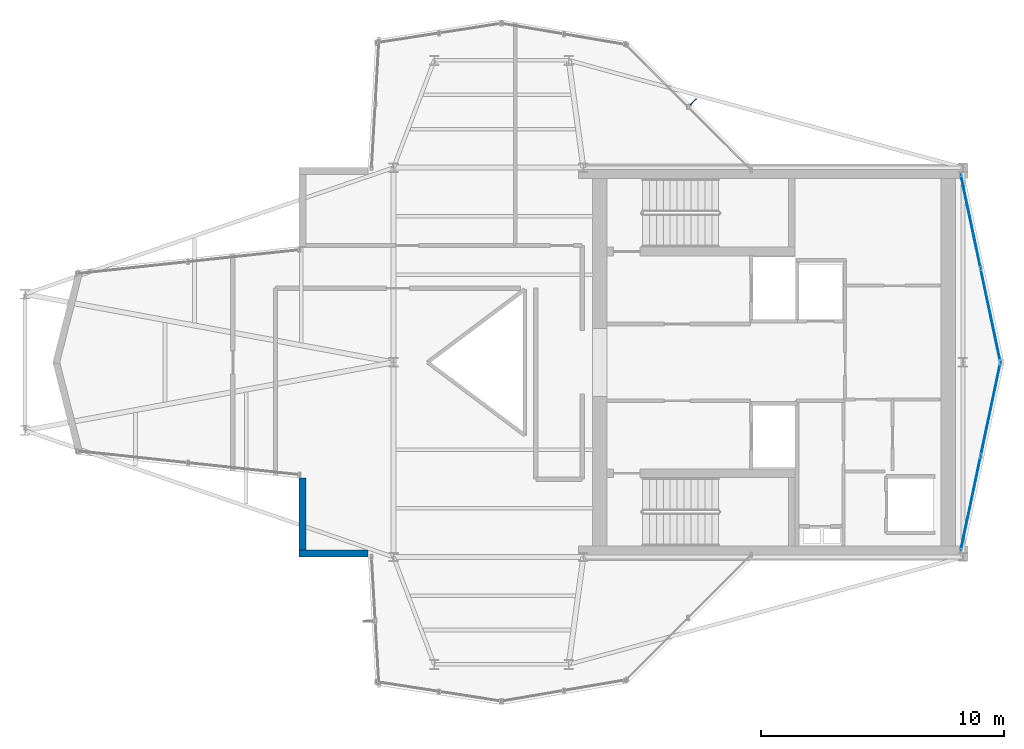
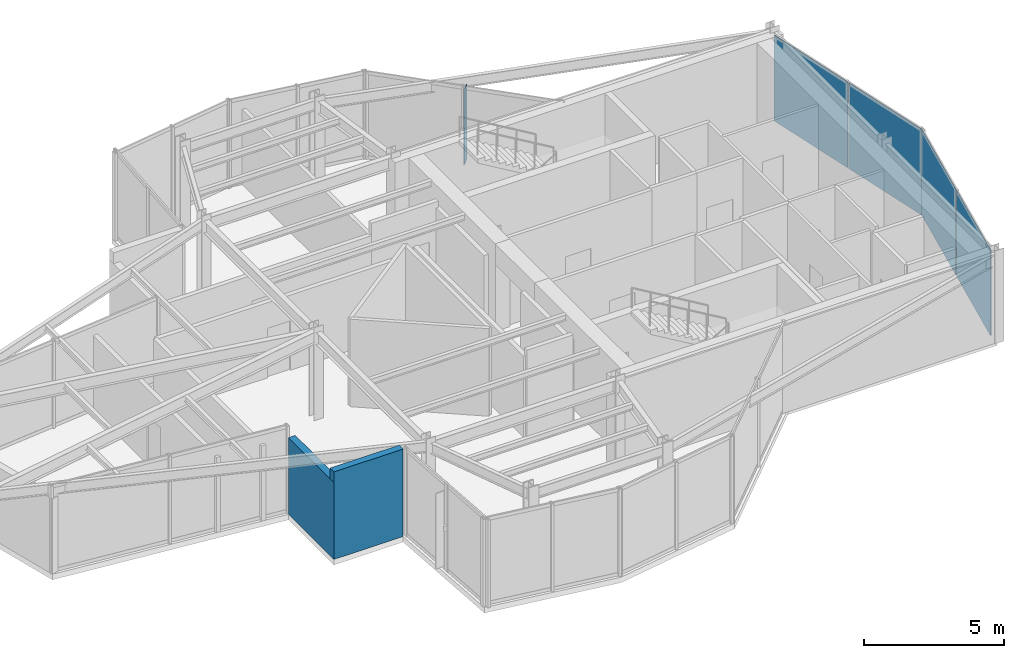
# One storey, part 10 of 13: 5 plates, 2 walls, 2 elements without a shape of their own.
"""IFC4 building model written with IfcOpenShell, lengths in metres."""

from ifc_helpers import new_model, si_unit, direction, frame, frame_2d, origin, origin_2d, place, context, subcontext, project, spatial, rectangle, extrude, material, layer, layer_set, type_object, element, aggregate, save


model = new_model("IFC4")

# Units and contexts
model_context = context("Model", 3, precision=1e-05, world=origin(), true_north=direction((0.0, 1.0)))
body_context = subcontext(model_context, "Body", "Model", "MODEL_VIEW")
ifc_project = project(units=[si_unit("LENGTHUNIT", "METRE"), si_unit("AREAUNIT", "SQUARE_METRE"), si_unit("VOLUMEUNIT", "CUBIC_METRE"), si_unit("PLANEANGLEUNIT", "RADIAN"), si_unit("MASSUNIT", "GRAM", prefix="KILO")], contexts=[model_context])

# Site, building, storey
site_placement = place(None, origin())
site = spatial("IfcSite", under=ifc_project, at=site_placement, CompositionType="ELEMENT")
building_placement = place(site_placement, origin())
building = spatial("IfcBuilding", under=site, at=building_placement, Name="Veymaron Broadcast Tower", CompositionType="ELEMENT")
storey_placement = place(building_placement, frame((0.0, 0.0, 307.35009765625)))
storey = spatial("IfcBuildingStorey", under=building, at=storey_placement, Name="L72", CompositionType="ELEMENT", Elevation=307.35009765625)

# Curtain wall, plates
ifc_material_1 = material(Name="Anodised aluminium AA 6063-T6 and laminated low-E dark glass", Category="aluminium")
ifc_layer_1 = layer(ifc_material_1, 0.179931640625)
ifc_layer_set_1 = layer_set([ifc_layer_1], Name="Anodised aluminium AA 6063-T6 and laminated low-E dark glass")
curtain_wall_type = type_object("IfcCurtainWallType", Name="CW-SYS-06", PredefinedType="NOTDEFINED", material=ifc_layer_set_1)
curtain_wall_1_placement = place(storey_placement, origin())
curtain_wall_1 = element("IfcCurtainWall", 1, at=curtain_wall_1_placement, inside=storey, type_object=curtain_wall_type, Name="L72 dark-glass curtain wall CW-L72-E2-1", PredefinedType="NOTDEFINED")
ifc_material_2 = material(Name="Insulated dark-anodised aluminium spandrel panel 40 mm", Category="aluminium")
ifc_layer_2 = layer(ifc_material_2, 0.0400390625)
ifc_layer_set_2 = layer_set([ifc_layer_2], Name="Insulated dark-anodised aluminium spandrel panel 40 mm")
plate_type_1 = type_object("IfcPlateType", Name="CW-PNL-03", PredefinedType="CURTAIN_PANEL", material=ifc_layer_set_2)
plate_1_placement = place(storey_placement, frame((54.921630859375, 18.202392578125, 0.039794921875), z_axis=(0.0, 0.0, 1.0), x_axis=(0.20651158288, 0.97844415586, 0.0)))
plate_1 = element("IfcPlate", 2, at=plate_1_placement, type_object=plate_type_1, Name="CW-L72-E2-1 unitised curtain panel 0", PredefinedType="CURTAIN_PANEL", context=body_context, shape_type="SweptSolid", body=[
    extrude(rectangle(XDim=3.909912109375, YDim=0.0400390625, at=origin_2d()), origin(), (0.0, 0.0, 1.0), 3.72998046875),
])
plate_2_placement = place(storey_placement, frame((55.741455078125, 22.0869140625, 0.039794921875), z_axis=(0.0, 0.0, 1.0), x_axis=(0.20651158288, 0.97844415586, 0.0)))
plate_2 = element("IfcPlate", 3, at=plate_2_placement, type_object=plate_type_1, Name="CW-L72-E2-1 unitised curtain panel 1", PredefinedType="CURTAIN_PANEL", context=body_context, shape_type="SweptSolid", body=[
    extrude(rectangle(XDim=3.909912109375, YDim=0.0400390625, at=origin_2d()), origin(), (0.0, 0.0, 1.0), 3.72998046875),
])
aggregate(curtain_wall_1, [plate_1, plate_2])

curtain_wall_2_placement = place(storey_placement, origin())
curtain_wall_2 = element("IfcCurtainWall", 4, at=curtain_wall_2_placement, inside=storey, type_object=curtain_wall_type, Name="L72 dark-glass curtain wall CW-L72-E3-1", PredefinedType="NOTDEFINED")
plate_3_placement = place(storey_placement, frame((55.741455078125, 25.9130859375, 0.039794921875), z_axis=(0.0, 0.0, 1.0), x_axis=(-0.20651158288, 0.97844415586, 0.0)))
plate_3 = element("IfcPlate", 5, at=plate_3_placement, type_object=plate_type_1, Name="CW-L72-E3-1 unitised curtain panel 0", PredefinedType="CURTAIN_PANEL", context=body_context, shape_type="SweptSolid", body=[
    extrude(rectangle(XDim=3.909912109375, YDim=0.0400390625, at=origin_2d()), origin(), (0.0, 0.0, 1.0), 3.72998046875),
])
plate_4_placement = place(storey_placement, frame((54.921630859375, 29.797607421875, 0.039794921875), z_axis=(0.0, 0.0, 1.0), x_axis=(-0.20651158288, 0.97844415586, 0.0)))
plate_4 = element("IfcPlate", 6, at=plate_4_placement, type_object=plate_type_1, Name="CW-L72-E3-1 unitised curtain panel 1", PredefinedType="CURTAIN_PANEL", context=body_context, shape_type="SweptSolid", body=[
    extrude(rectangle(XDim=3.909912109375, YDim=0.0400390625, at=origin_2d()), origin(), (0.0, 0.0, 1.0), 3.72998046875),
])
aggregate(curtain_wall_2, [plate_3, plate_4])

# Plate
ifc_material_3 = material(Name="Dark-anodised aluminium AA 6061-T6", Category="aluminium")
ifc_layer_3 = layer(ifc_material_3, 0.030029296875)
ifc_layer_set_3 = layer_set([ifc_layer_3], Name="Dark-anodised aluminium AA 6061-T6")
plate_type_2 = type_object("IfcPlateType", Name="FIN-CHEV-02", PredefinedType="USERDEFINED", material=ifc_layer_set_3)
plate_5_placement = place(storey_placement, frame((43.521240234375, 34.709228515625, 0.2666015625), z_axis=(0.0, 0.0, 1.0), x_axis=(0.706810526965, 0.707402911339, 0.0)))
element("IfcPlate", 7, at=plate_5_placement, inside=storey, type_object=plate_type_2, Name="CW-L72-E5-1 chevron fin 1", ObjectType="FIN", PredefinedType="USERDEFINED", context=body_context, shape_type="SweptSolid", body=[
    extrude(rectangle(XDim=0.35009765625, YDim=0.034912109375, at=origin_2d()), origin(), (0.0, 0.0, 1.0), 3.276611328125),
])

# Walls
ifc_material_4 = material(Name="Precast concrete C40/50", Category="concrete")
ifc_layer_4 = layer(ifc_material_4, 0.280029296875)
ifc_layer_set_4 = layer_set([ifc_layer_4], Name="Precast concrete C40/50")
wall_type = type_object("IfcWallType", Name="WALL-EXT-280", PredefinedType="STANDARD", material=ifc_layer_set_4)
wall_1_placement = place(storey_placement, frame((27.45361328125, 19.239990234375, 0.0), z_axis=(0.0, 0.0, 1.0), x_axis=(0.0, -1.0, 0.0)))
element("IfcWall", 8, at=wall_1_placement, inside=storey, type_object=wall_type, Name="L72 notched corner facade pier 15-1", PredefinedType="STANDARD", context=body_context, shape_type="SweptSolid", body=[
    extrude(rectangle(XDim=3.239990234375, YDim=0.280029296875, at=frame_2d((1.6201171875, 0.0))), origin(), (0.0, 0.0, 1.0), 3.3388671875),
])
wall_2_placement = place(storey_placement, frame((27.313720703125, 16.139892578125, 0.0), z_axis=(0.0, 0.0, 1.0), x_axis=(1.0, 0.0, 0.0)))
element("IfcWall", 9, at=wall_2_placement, inside=storey, type_object=wall_type, Name="L72 notched corner facade pier 16-1", PredefinedType="STANDARD", context=body_context, shape_type="SweptSolid", body=[
    extrude(rectangle(XDim=2.84619140625, YDim=0.280029296875, at=frame_2d((1.423095703125, 0.0))), origin(), (0.0, 0.0, 1.0), 3.809814453125),
])

save(model, "model.ifc")
